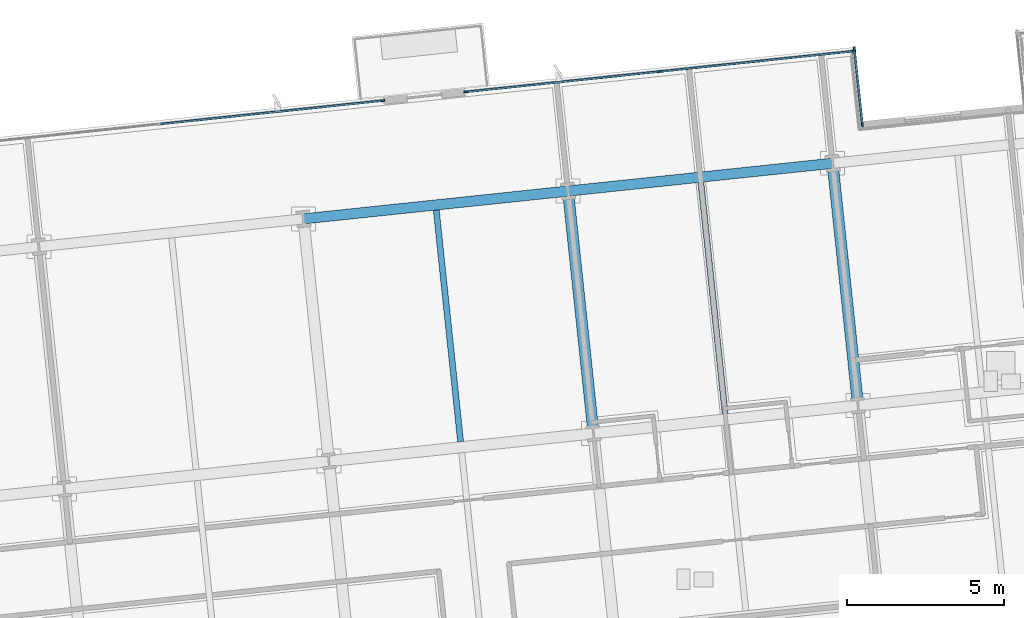
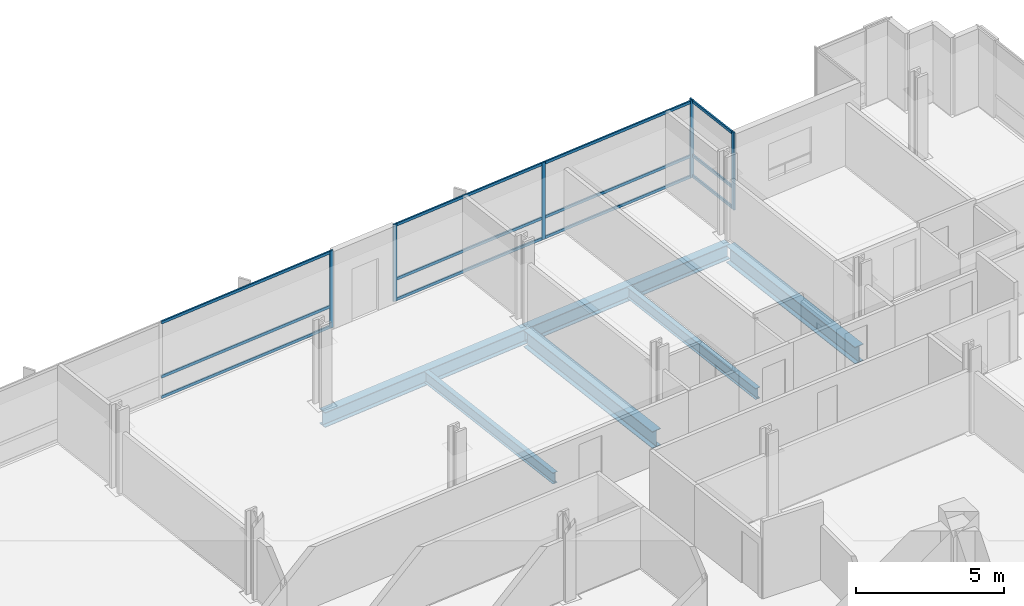
# One storey, part 10 of 20: 18 members, 6 beams, 3 elements without a shape of their own.
"""IFC4 building model written with IfcOpenShell, lengths in metres."""

from ifc_helpers import new_model, si_unit, direction, frame, origin, origin_2d, place, context, subcontext, project, spatial, rectangle, i_section, extrude, material, material_profile, profile_set, type_object, element, aggregate, save


model = new_model("IFC4")

# Units and contexts
model_context = context("Model", 3, precision=1e-05, world=origin(), true_north=direction((0.0, 1.0)))
body_context = subcontext(model_context, "Body", "Model", "MODEL_VIEW")
ifc_project = project(units=[si_unit("LENGTHUNIT", "METRE"), si_unit("AREAUNIT", "SQUARE_METRE"), si_unit("VOLUMEUNIT", "CUBIC_METRE"), si_unit("PLANEANGLEUNIT", "RADIAN"), si_unit("MASSUNIT", "GRAM", prefix="KILO")], contexts=[model_context])

# Site, building, storey
site_placement = place(None, origin())
site = spatial("IfcSite", under=ifc_project, at=site_placement, CompositionType="ELEMENT")
building_placement = place(site_placement, origin())
building = spatial("IfcBuilding", under=site, at=building_placement, Name="Solmavex Isthmus Hotel", CompositionType="ELEMENT")
storey_placement = place(building_placement, frame((0.0, 0.0, 109.800048828125)))
storey = spatial("IfcBuildingStorey", under=building, at=storey_placement, Name="L29", CompositionType="ELEMENT", Elevation=109.800048828125)

# Beams
ifc_material_1 = material(Name="Steel ASTM A992 Grade 50", Category="steel")
ifc_material_profile_1 = material_profile(ifc_material_1, i_section(OverallWidth=0.354736328125, OverallDepth=0.695556640625, WebThickness=0.015380859375, FlangeThickness=0.02490234375, FilletRadius=0.017822265625, at=origin_2d()), Name="W27X146")
ifc_profile_set_1 = profile_set([ifc_material_profile_1], Name="Steel ASTM A992 Grade 50")
beam_type_1 = type_object("IfcBeamType", Name="BM-BG-W27X146", PredefinedType="BEAM", material=ifc_profile_set_1)
for number, where, z_axis, x_axis, name in (
    (1, (12.123291015625, 11.21337890625, -0.60791015625), (-0.104525307271, 0.994522227072, 0.0), (-0.994522227072, -0.104525307271, 0.0), "Floor Beam L29-VG42"),
    (2, (20.54296875, 12.098388671875, -0.60791015625), (-0.1045578893, 0.994518802128, 0.0), (-0.994518802128, -0.1045578893, 0.0), "Floor Beam L29-VG45"),
):
    element("IfcBeam", number, at=place(storey_placement, frame(where, z_axis=z_axis, x_axis=x_axis)), inside=storey, type_object=beam_type_1, Name=name, PredefinedType="BEAM", context=body_context, shape_type="SweptSolid", body=[
        extrude(i_section(OverallWidth=0.354736328125, OverallDepth=0.695556640625, WebThickness=0.015380859375, FlangeThickness=0.02490234375, FilletRadius=0.017822265625, at=origin_2d()), origin(), (0.0, 0.0, 1.0), 7.4111328125),
    ])
ifc_material_profile_2 = material_profile(ifc_material_1, i_section(OverallWidth=0.1904296875, OverallDepth=0.456787109375, WebThickness=0.009033203125, FlangeThickness=0.014404296875, FilletRadius=0.0126953125, at=origin_2d()), Name="W18X50")
ifc_profile_set_2 = profile_set([ifc_material_profile_2], Name="Steel ASTM A992 Grade 50")
beam_type_2 = type_object("IfcBeamType", Name="BM-BJ-W18X50", PredefinedType="JOIST", material=ifc_profile_set_2)
beam_1_placement = place(storey_placement, frame((7.913330078125, 10.77099609375, -0.488525390625), z_axis=(-0.104525307271, 0.994522227072, 0.0), x_axis=(-0.994522227072, -0.104525307271, 0.0)))
element("IfcBeam", 3, at=beam_1_placement, inside=storey, type_object=beam_type_2, Name="Secondary Floor Joist L29-J15", PredefinedType="JOIST", context=body_context, shape_type="SweptSolid", body=[
    extrude(i_section(OverallWidth=0.1904296875, OverallDepth=0.456787109375, WebThickness=0.009033203125, FlangeThickness=0.014404296875, FilletRadius=0.0126953125, at=origin_2d()), origin(), (0.0, 0.0, 1.0), 7.4111328125),
])
beam_2_placement = place(storey_placement, frame((16.3330078125, 11.65576171875, -0.488525390625), z_axis=(-0.10452188296, 0.994522586964, 0.0), x_axis=(-0.994522586964, -0.10452188296, 0.0)))
element("IfcBeam", 4, at=beam_2_placement, inside=storey, type_object=beam_type_2, Name="Secondary Floor Joist L29-J18", PredefinedType="JOIST", context=body_context, shape_type="SweptSolid", body=[
    extrude(i_section(OverallWidth=0.1904296875, OverallDepth=0.456787109375, WebThickness=0.009033203125, FlangeThickness=0.014404296875, FilletRadius=0.0126953125, at=origin_2d()), origin(), (0.0, 0.0, 1.0), 7.411376953125),
])
ifc_material_profile_3 = material_profile(ifc_material_1, i_section(OverallWidth=0.326416015625, OverallDepth=0.621826171875, WebThickness=0.015380859375, FlangeThickness=0.0244140625, FilletRadius=0.01513671875, at=origin_2d()), Name="W24X131")
ifc_profile_set_3 = profile_set([ifc_material_profile_3], Name="Steel ASTM A992 Grade 50")
beam_type_3 = type_object("IfcBeamType", Name="BM-SP-W24X131", PredefinedType="SPANDREL", material=ifc_profile_set_3)
for number, where, z_axis, x_axis, name in (
    (5, (2.911865234375, 17.861572265625, -0.571044921875), (0.994521085209, 0.104536171134, 0.0), (-0.104536171134, 0.994521085209, 0.0), "Floor Girder L29-UG22"),
    (6, (11.33154296875, 18.74658203125, -0.571044921875), (0.994524082861, 0.104507648572, 0.0), (-0.104507648572, 0.994524082861, 0.0), "Floor Girder L29-UG23"),
):
    element("IfcBeam", number, at=place(storey_placement, frame(where, z_axis=z_axis, x_axis=x_axis)), inside=storey, type_object=beam_type_3, Name=name, PredefinedType="SPANDREL", context=body_context, shape_type="SweptSolid", body=[
        extrude(i_section(OverallWidth=0.326416015625, OverallDepth=0.621826171875, WebThickness=0.015380859375, FlangeThickness=0.0244140625, FilletRadius=0.01513671875, at=origin_2d()), origin(), (0.0, 0.0, 1.0), 8.466064453125),
    ])

# Curtain wall, members
ifc_material_2 = material(Name="Aluminium alloy 6063-T6", Category="aluminium")
curtain_wall_type = type_object("IfcCurtainWallType", Name="CW-SYS-06", PredefinedType="NOTDEFINED", material=ifc_material_2)
curtain_wall_1_placement = place(storey_placement, origin())
curtain_wall_1 = element("IfcCurtainWall", 7, at=curtain_wall_1_placement, inside=storey, type_object=curtain_wall_type, Name="Stick Curtain Wall CWL-L29-SGW", PredefinedType="NOTDEFINED")
ifc_material_profile_4 = material_profile(ifc_material_2, rectangle(XDim=0.06005859375, YDim=0.139892578125, at=origin_2d()), Name="CWM-60X140")
ifc_profile_set_4 = profile_set([ifc_material_profile_4], Name="Aluminium alloy 6063-T6")
member_type_1 = type_object("IfcMemberType", Name="CW-SYS-06-MUL", PredefinedType="MULLION", material=ifc_profile_set_4)
member_1_placement = place(storey_placement, frame((20.695068359375, 20.866943359375, 0.0), z_axis=(0.0, 0.0, 1.0), x_axis=(-0.994521901108, -0.10452840866, 0.0)))
member_1 = element("IfcMember", 8, at=member_1_placement, type_object=member_type_1, Name="CW-06 mullion 1", PredefinedType="MULLION", context=body_context, shape_type="SweptSolid", body=[
    extrude(rectangle(XDim=0.06005859375, YDim=0.139892578125, at=origin_2d()), origin(), (0.0, 0.0, 1.0), 3.18994140625),
])
member_2_placement = place(storey_placement, frame((20.442138671875, 23.273681640625, 0.0), z_axis=(0.0, 0.0, 1.0), x_axis=(-0.994521901108, -0.10452840866, 0.0)))
member_2 = element("IfcMember", 9, at=member_2_placement, type_object=member_type_1, Name="CW-06 mullion 2", PredefinedType="MULLION", context=body_context, shape_type="SweptSolid", body=[
    extrude(rectangle(XDim=0.06005859375, YDim=0.139892578125, at=origin_2d()), origin(), (0.0, 0.0, 1.0), 3.18994140625),
])

# Curtain wall, member
curtain_wall_2_placement = place(storey_placement, origin())
curtain_wall_2 = element("IfcCurtainWall", 10, at=curtain_wall_2_placement, inside=storey, type_object=curtain_wall_type, Name="Stick Curtain Wall CWL-L29-N2", PredefinedType="NOTDEFINED")
member_3_placement = place(storey_placement, frame((5.435302734375, 21.6259765625, 0.0), z_axis=(0.0, 0.0, 1.0), x_axis=(-0.104528313766, 0.994521911082, 0.0)))
member_3 = element("IfcMember", 11, at=member_3_placement, type_object=member_type_1, Name="CW-06 mullion 3", PredefinedType="MULLION", context=body_context, shape_type="SweptSolid", body=[
    extrude(rectangle(XDim=0.06005859375, YDim=0.139892578125, at=origin_2d()), origin(), (0.0, 0.0, 1.0), 3.18994140625),
])

# Curtain wall, members
curtain_wall_3_placement = place(storey_placement, origin())
curtain_wall_3 = element("IfcCurtainWall", 12, at=curtain_wall_3_placement, inside=storey, type_object=curtain_wall_type, Name="Stick Curtain Wall CWL-L29-N3", PredefinedType="NOTDEFINED")
member_4_placement = place(storey_placement, frame((8.08056640625, 21.904052734375, 0.0), z_axis=(0.0, 0.0, 1.0), x_axis=(-0.104528789991, 0.994521861028, 0.0)))
member_4 = element("IfcMember", 13, at=member_4_placement, type_object=member_type_1, Name="CW-06 mullion 1", PredefinedType="MULLION", context=body_context, shape_type="SweptSolid", body=[
    extrude(rectangle(XDim=0.06005859375, YDim=0.139892578125, at=origin_2d()), origin(), (0.0, 0.0, 1.0), 3.18994140625),
])
member_5_placement = place(storey_placement, frame((14.250244140625, 22.552490234375, 0.0), z_axis=(0.0, 0.0, 1.0), x_axis=(-0.104528789991, 0.994521861028, 0.0)))
member_5 = element("IfcMember", 14, at=member_5_placement, type_object=member_type_1, Name="CW-06 mullion 2", PredefinedType="MULLION", context=body_context, shape_type="SweptSolid", body=[
    extrude(rectangle(XDim=0.06005859375, YDim=0.139892578125, at=origin_2d()), origin(), (0.0, 0.0, 1.0), 3.18994140625),
])
member_6_placement = place(storey_placement, frame((20.419677734375, 23.200927734375, 0.0), z_axis=(0.0, 0.0, 1.0), x_axis=(-0.104528789991, 0.994521861028, 0.0)))
member_6 = element("IfcMember", 15, at=member_6_placement, type_object=member_type_1, Name="CW-06 mullion 3", PredefinedType="MULLION", context=body_context, shape_type="SweptSolid", body=[
    extrude(rectangle(XDim=0.06005859375, YDim=0.139892578125, at=origin_2d()), origin(), (0.0, 0.0, 1.0), 3.18994140625),
])

# Member
ifc_material_profile_5 = material_profile(ifc_material_2, rectangle(XDim=0.06005859375, YDim=0.114990234375, at=origin_2d()), Name="CWT-60X115")
ifc_profile_set_5 = profile_set([ifc_material_profile_5], Name="Aluminium alloy 6063-T6")
member_type_2 = type_object("IfcMemberType", Name="CW-SYS-06-TRN", PredefinedType="USERDEFINED", material=ifc_profile_set_5)
member_7_placement = place(storey_placement, frame((20.69189453125, 20.896728515625, 0.057373046875), z_axis=(-0.104490908173, 0.994525841851, 0.0), x_axis=(-0.994525841851, -0.104490908173, 0.0)))
member_7 = element("IfcMember", 16, at=member_7_placement, type_object=member_type_2, Name="CW-06 transom 1.1", ObjectType="TRANSOM", PredefinedType="USERDEFINED", context=body_context, shape_type="SweptSolid", body=[
    extrude(rectangle(XDim=0.06005859375, YDim=0.114990234375, at=origin_2d()), origin(), (0.0, 0.0, 1.0), 2.35986328125),
])

member_8_placement = place(storey_placement, frame((20.69189453125, 20.896728515625, 0.89990234375), z_axis=(-0.104490908173, 0.994525841851, 0.0), x_axis=(-0.994525841851, -0.104490908173, 0.0)))
member_8 = element("IfcMember", 17, at=member_8_placement, type_object=member_type_2, Name="CW-06 transom 1.2", ObjectType="TRANSOM", PredefinedType="USERDEFINED", context=body_context, shape_type="SweptSolid", body=[
    extrude(rectangle(XDim=0.06005859375, YDim=0.114990234375, at=origin_2d()), origin(), (0.0, 0.0, 1.0), 2.35986328125),
])

member_9_placement = place(storey_placement, frame((20.69189453125, 20.896728515625, 3.132568359375), z_axis=(-0.104490908173, 0.994525841851, 0.0), x_axis=(-0.994525841851, -0.104490908173, 0.0)))
member_9 = element("IfcMember", 18, at=member_9_placement, type_object=member_type_2, Name="CW-06 transom 1.3", ObjectType="TRANSOM", PredefinedType="USERDEFINED", context=body_context, shape_type="SweptSolid", body=[
    extrude(rectangle(XDim=0.06005859375, YDim=0.114990234375, at=origin_2d()), origin(), (0.0, 0.0, 1.0), 2.35986328125),
])

aggregate(curtain_wall_1, [member_1, member_2, member_7, member_8, member_9])

member_10_placement = place(storey_placement, frame((-1.6318359375, 20.883056640625, 0.057373046875), z_axis=(0.994520189627, 0.104544691041, 0.0), x_axis=(-0.104544691041, 0.994520189627, 0.0)))
member_10 = element("IfcMember", 19, at=member_10_placement, type_object=member_type_2, Name="CW-06 transom 2.1", ObjectType="TRANSOM", PredefinedType="USERDEFINED", context=body_context, shape_type="SweptSolid", body=[
    extrude(rectangle(XDim=0.06005859375, YDim=0.114990234375, at=origin_2d()), origin(), (0.0, 0.0, 1.0), 7.075927734375),
])

member_11_placement = place(storey_placement, frame((-1.6318359375, 20.883056640625, 0.89990234375), z_axis=(0.994520189627, 0.104544691041, 0.0), x_axis=(-0.104544691041, 0.994520189627, 0.0)))
member_11 = element("IfcMember", 20, at=member_11_placement, type_object=member_type_2, Name="CW-06 transom 2.2", ObjectType="TRANSOM", PredefinedType="USERDEFINED", context=body_context, shape_type="SweptSolid", body=[
    extrude(rectangle(XDim=0.06005859375, YDim=0.114990234375, at=origin_2d()), origin(), (0.0, 0.0, 1.0), 7.075927734375),
])

member_12_placement = place(storey_placement, frame((-1.6318359375, 20.883056640625, 3.132568359375), z_axis=(0.994520189627, 0.104544691041, 0.0), x_axis=(-0.104544691041, 0.994520189627, 0.0)))
member_12 = element("IfcMember", 21, at=member_12_placement, type_object=member_type_2, Name="CW-06 transom 2.3", ObjectType="TRANSOM", PredefinedType="USERDEFINED", context=body_context, shape_type="SweptSolid", body=[
    extrude(rectangle(XDim=0.06005859375, YDim=0.114990234375, at=origin_2d()), origin(), (0.0, 0.0, 1.0), 7.075927734375),
])

aggregate(curtain_wall_2, [member_3, member_10, member_11, member_12])

member_13_placement = place(storey_placement, frame((8.1103515625, 21.906982421875, 0.057373046875), z_axis=(0.994519162654, 0.104554460039, 0.0), x_axis=(-0.104554460039, 0.994519162654, 0.0)))
member_13 = element("IfcMember", 22, at=member_13_placement, type_object=member_type_2, Name="CW-06 transom 1.1", ObjectType="TRANSOM", PredefinedType="USERDEFINED", context=body_context, shape_type="SweptSolid", body=[
    extrude(rectangle(XDim=0.06005859375, YDim=0.114990234375, at=origin_2d()), origin(), (0.0, 0.0, 1.0), 6.1435546875),
])

member_14_placement = place(storey_placement, frame((8.1103515625, 21.906982421875, 0.89990234375), z_axis=(0.994519162654, 0.104554460039, 0.0), x_axis=(-0.104554460039, 0.994519162654, 0.0)))
member_14 = element("IfcMember", 23, at=member_14_placement, type_object=member_type_2, Name="CW-06 transom 1.2", ObjectType="TRANSOM", PredefinedType="USERDEFINED", context=body_context, shape_type="SweptSolid", body=[
    extrude(rectangle(XDim=0.06005859375, YDim=0.114990234375, at=origin_2d()), origin(), (0.0, 0.0, 1.0), 6.1435546875),
])

member_15_placement = place(storey_placement, frame((8.1103515625, 21.906982421875, 3.132568359375), z_axis=(0.994519162654, 0.104554460039, 0.0), x_axis=(-0.104554460039, 0.994519162654, 0.0)))
member_15 = element("IfcMember", 24, at=member_15_placement, type_object=member_type_2, Name="CW-06 transom 1.3", ObjectType="TRANSOM", PredefinedType="USERDEFINED", context=body_context, shape_type="SweptSolid", body=[
    extrude(rectangle(XDim=0.06005859375, YDim=0.114990234375, at=origin_2d()), origin(), (0.0, 0.0, 1.0), 6.1435546875),
])

member_16_placement = place(storey_placement, frame((14.280029296875, 22.555419921875, 0.057373046875), z_axis=(0.994519162654, 0.104554460039, 0.0), x_axis=(-0.104554460039, 0.994519162654, 0.0)))
member_16 = element("IfcMember", 25, at=member_16_placement, type_object=member_type_2, Name="CW-06 transom 2.1", ObjectType="TRANSOM", PredefinedType="USERDEFINED", context=body_context, shape_type="SweptSolid", body=[
    extrude(rectangle(XDim=0.06005859375, YDim=0.114990234375, at=origin_2d()), origin(), (0.0, 0.0, 1.0), 6.1435546875),
])

member_17_placement = place(storey_placement, frame((14.280029296875, 22.555419921875, 0.89990234375), z_axis=(0.994519162654, 0.104554460039, 0.0), x_axis=(-0.104554460039, 0.994519162654, 0.0)))
member_17 = element("IfcMember", 26, at=member_17_placement, type_object=member_type_2, Name="CW-06 transom 2.2", ObjectType="TRANSOM", PredefinedType="USERDEFINED", context=body_context, shape_type="SweptSolid", body=[
    extrude(rectangle(XDim=0.06005859375, YDim=0.114990234375, at=origin_2d()), origin(), (0.0, 0.0, 1.0), 6.1435546875),
])

member_18_placement = place(storey_placement, frame((14.280029296875, 22.555419921875, 3.132568359375), z_axis=(0.994519162654, 0.104554460039, 0.0), x_axis=(-0.104554460039, 0.994519162654, 0.0)))
member_18 = element("IfcMember", 27, at=member_18_placement, type_object=member_type_2, Name="CW-06 transom 2.3", ObjectType="TRANSOM", PredefinedType="USERDEFINED", context=body_context, shape_type="SweptSolid", body=[
    extrude(rectangle(XDim=0.06005859375, YDim=0.114990234375, at=origin_2d()), origin(), (0.0, 0.0, 1.0), 6.1435546875),
])

aggregate(curtain_wall_3, [member_4, member_5, member_6, member_13, member_14, member_15, member_16, member_17, member_18])

save(model, "model.ifc")
